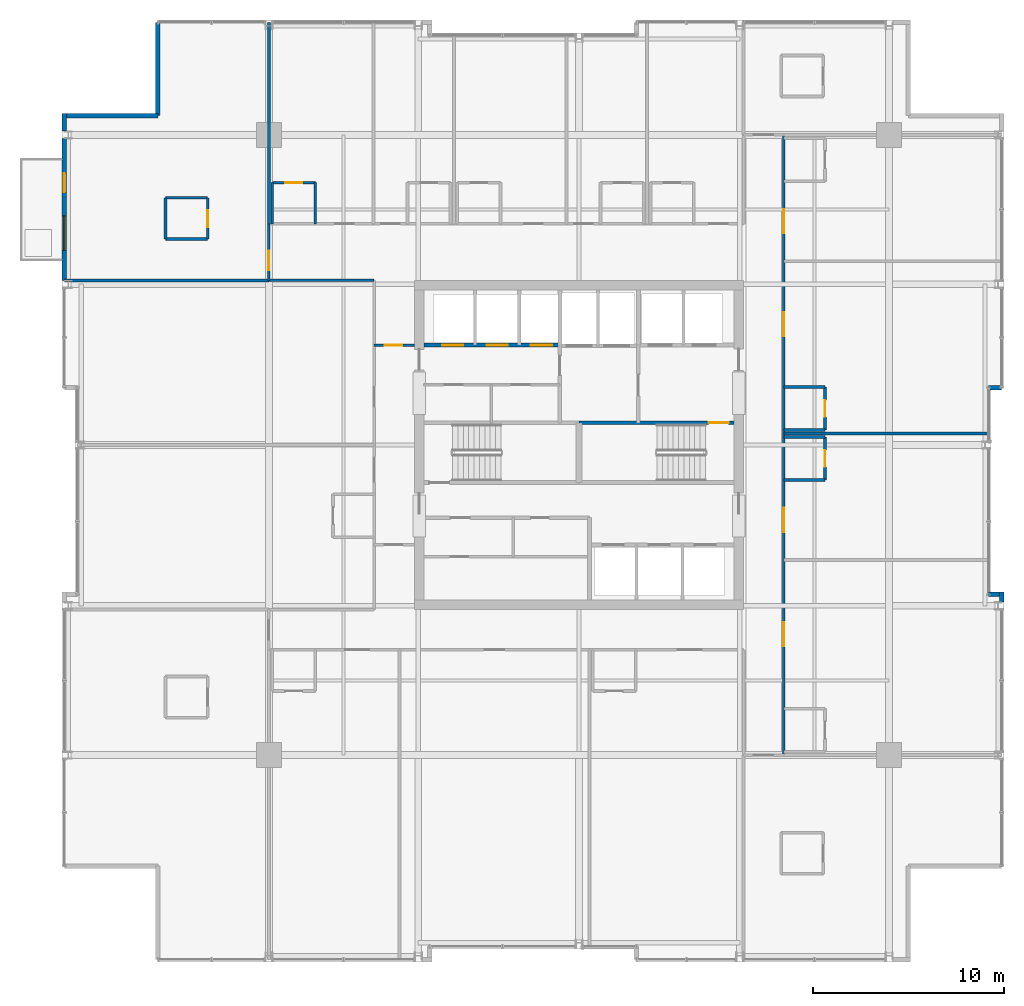
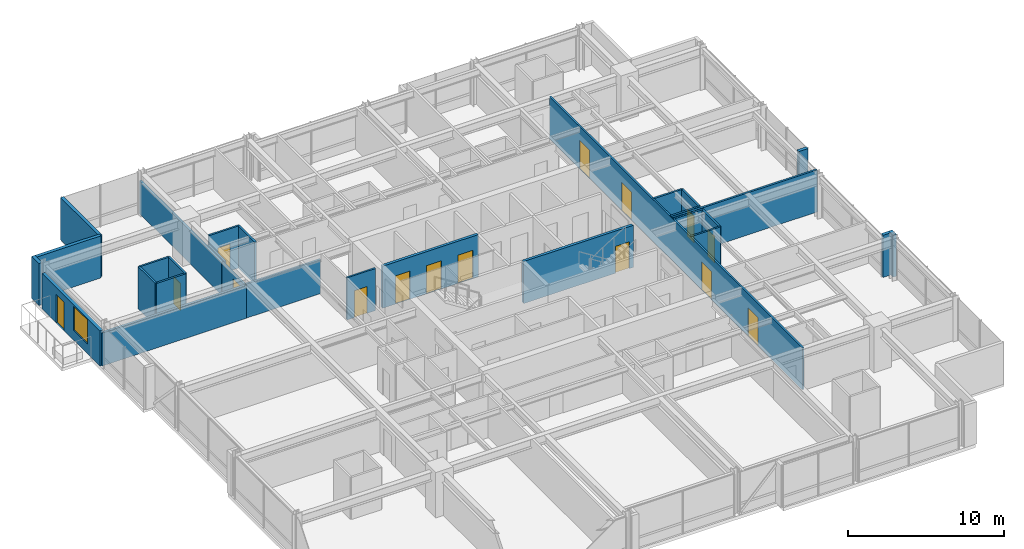
# One storey, part 27 of 32: 29 walls, 15 doors, 1 window, 16 openings.
"""IFC4 building model written with IfcOpenShell, lengths in metres."""

from ifc_helpers import new_model, si_unit, direction, frame, frame_2d, origin, place, context, subcontext, project, spatial, rectangle, extrude, material, layer, layer_set, type_object, element, fill, save


model = new_model("IFC4")

# Units and contexts
model_context = context("Model", 3, precision=1e-05, world=origin(), true_north=direction((0.0, 1.0)))
body_context = subcontext(model_context, "Body", "Model", "MODEL_VIEW")
ifc_project = project(units=[si_unit("LENGTHUNIT", "METRE"), si_unit("AREAUNIT", "SQUARE_METRE"), si_unit("VOLUMEUNIT", "CUBIC_METRE"), si_unit("PLANEANGLEUNIT", "RADIAN"), si_unit("MASSUNIT", "GRAM", prefix="KILO")], contexts=[model_context])

# Site, building, storey
site_placement = place(None, origin())
site = spatial("IfcSite", under=ifc_project, at=site_placement, CompositionType="ELEMENT")
building_placement = place(site_placement, origin())
building = spatial("IfcBuilding", under=site, at=building_placement, Name="Drelvath Grand Hotel", CompositionType="ELEMENT")
storey_placement = place(building_placement, frame((0.0, 0.0, 182.35009765625)))
storey = spatial("IfcBuildingStorey", under=building, at=storey_placement, Name="L47", CompositionType="ELEMENT", Elevation=182.35009765625)

# Wall, openings, doors
ifc_material_1 = material(Name="Concrete C40/50", Category="concrete")
ifc_layer_1 = layer(ifc_material_1, 0.199951171875)
ifc_layer_set_1 = layer_set([ifc_layer_1], Name="Concrete C40/50")
wall_type_1 = type_object("IfcWallType", Name="Core Hoistway Fire Wall 200", PredefinedType="SOLIDWALL", material=ifc_layer_set_1)
wall_1_placement = place(storey_placement, frame((-8.10009765625, 32.219970703125, 0.0), z_axis=(0.0, 0.0, 1.0), x_axis=(1.0, 0.0, 0.0)))
wall_1 = element("IfcWall", 1, at=wall_1_placement, inside=storey, type_object=wall_type_1, Name="L47 Bank 3 Hoistway Wall", PredefinedType="SOLIDWALL", context=body_context, shape_type="SweptSolid", body=[
    extrude(rectangle(XDim=7.10009765625, YDim=0.199951171875, at=frame_2d((3.550048828125, 0.0))), origin(), (0.0, 0.0, 1.0), 3.289794921875),
])
opening_1_placement = place(wall_1_placement, frame((0.949951171875, 0.0, 0.0)))
opening_1 = element("IfcOpeningElement", 2, at=opening_1_placement, cuts=wall_1, Name="Opening LD-PE-7", PredefinedType="OPENING", context=body_context, shape_type="SweptSolid", body=[
    extrude(rectangle(XDim=1.10009765625, YDim=2.199951171875, at=frame_2d((0.550048828125, 1.10009765625))), frame((0.0, 0.10986328125, 0.0), z_axis=(0.0, -1.0, 0.0), x_axis=(1.0, 0.0, 0.0)), (0.0, 0.0, 1.0), 0.219970703125),
])
opening_2_placement = place(wall_1_placement, frame((3.27001953125, 0.0, 0.0)))
opening_2 = element("IfcOpeningElement", 3, at=opening_2_placement, cuts=wall_1, Name="Opening LD-PE-8", PredefinedType="OPENING", context=body_context, shape_type="SweptSolid", body=[
    extrude(rectangle(XDim=1.10009765625, YDim=2.199951171875, at=frame_2d((0.550048828125, 1.10009765625))), frame((0.0, 0.10986328125, 0.0), z_axis=(0.0, -1.0, 0.0), x_axis=(1.0, 0.0, 0.0)), (0.0, 0.0, 1.0), 0.219970703125),
])
opening_3_placement = place(wall_1_placement, frame((5.590087890625, 0.0, 0.0)))
opening_3 = element("IfcOpeningElement", 4, at=opening_3_placement, cuts=wall_1, Name="Opening LD-PE-9", PredefinedType="OPENING", context=body_context, shape_type="SweptSolid", body=[
    extrude(rectangle(XDim=1.10009765625, YDim=2.199951171875, at=frame_2d((0.550048828125, 1.10009765625))), frame((0.0, 0.10986328125, 0.0), z_axis=(0.0, -1.0, 0.0), x_axis=(1.0, 0.0, 0.0)), (0.0, 0.0, 1.0), 0.219970703125),
])
ifc_material_2 = material(Name="Stainless Steel S355", Category="steel")
door_type_1 = type_object("IfcDoorType", Name="Passenger Lift Sliding Landing Door 1100x2200", OperationType="NOTDEFINED", PredefinedType="DOOR", material=ifc_material_2)
door_1_placement = place(opening_1_placement, origin())
door_1 = element("IfcDoor", 5, at=door_1_placement, inside=storey, type_object=door_type_1, Name="L47 Lift PE-7 Landing Door", OperationType="SLIDING_TO_LEFT", OverallHeight=2.199951171875, OverallWidth=1.10009765625, PredefinedType="DOOR", context=body_context, shape_type="SweptSolid", body=[
    extrude(rectangle(XDim=1.10009765625, YDim=2.199951171875, at=frame_2d((0.550048828125, 1.10009765625))), frame((0.0, 0.02490234375, 0.0), z_axis=(0.0, -1.0, 0.0), x_axis=(1.0, 0.0, 0.0)), (0.0, 0.0, 1.0), 0.050048828125),
])
fill(opening_1, door_1)
door_2_placement = place(opening_2_placement, origin())
door_2 = element("IfcDoor", 6, at=door_2_placement, inside=storey, type_object=door_type_1, Name="L47 Lift PE-8 Landing Door", OperationType="SLIDING_TO_LEFT", OverallHeight=2.199951171875, OverallWidth=1.10009765625, PredefinedType="DOOR", context=body_context, shape_type="SweptSolid", body=[
    extrude(rectangle(XDim=1.10009765625, YDim=2.199951171875, at=frame_2d((0.550048828125, 1.10009765625))), frame((0.0, 0.02490234375, 0.0), z_axis=(0.0, -1.0, 0.0), x_axis=(1.0, 0.0, 0.0)), (0.0, 0.0, 1.0), 0.050048828125),
])
fill(opening_2, door_2)
door_3_placement = place(opening_3_placement, origin())
door_3 = element("IfcDoor", 7, at=door_3_placement, inside=storey, type_object=door_type_1, Name="L47 Lift PE-9 Landing Door", OperationType="SLIDING_TO_LEFT", OverallHeight=2.199951171875, OverallWidth=1.10009765625, PredefinedType="DOOR", context=body_context, shape_type="SweptSolid", body=[
    extrude(rectangle(XDim=1.10009765625, YDim=2.199951171875, at=frame_2d((0.550048828125, 1.10009765625))), frame((0.0, 0.02490234375, 0.0), z_axis=(0.0, -1.0, 0.0), x_axis=(1.0, 0.0, 0.0)), (0.0, 0.0, 1.0), 0.050048828125),
])
fill(opening_3, door_3)

# Wall, opening, door
ifc_layer_2 = layer(ifc_material_1, 0.199951171875)
ifc_layer_set_2 = layer_set([ifc_layer_2], Name="Concrete C40/50")
wall_type_2 = type_object("IfcWallType", Name="Core Shaft Fire Wall 200", PredefinedType="SOLIDWALL", material=ifc_layer_set_2)
wall_2_placement = place(storey_placement, frame((8.10009765625, 28.159912109375, 0.0), z_axis=(0.0, 0.0, 1.0), x_axis=(-1.0, 0.0, 0.0)))
wall_2 = element("IfcWall", 8, at=wall_2_placement, inside=storey, type_object=wall_type_2, Name="L47 Stair ST-2 North Wall", PredefinedType="SOLIDWALL", context=body_context, shape_type="SweptSolid", body=[
    extrude(rectangle(XDim=8.10009765625, YDim=0.199951171875, at=frame_2d((4.050048828125, 0.0))), origin(), (0.0, 0.0, 1.0), 3.289794921875),
])
opening_4_placement = place(wall_2_placement, frame((0.280029296875, 0.0, 0.0)))
opening_4 = element("IfcOpeningElement", 9, at=opening_4_placement, cuts=wall_2, Name="Opening D-T3G4-002", PredefinedType="OPENING", context=body_context, shape_type="SweptSolid", body=[
    extrude(rectangle(XDim=1.050048828125, YDim=2.10009765625, at=frame_2d((0.52490234375, 1.050048828125))), frame((0.0, 0.10986328125, 0.0), z_axis=(0.0, -1.0, 0.0), x_axis=(1.0, 0.0, 0.0)), (0.0, 0.0, 1.0), 0.219970703125),
])
ifc_material_3 = material(Name="Painted Steel S275", Category="steel")
door_type_2 = type_object("IfcDoorType", Name="Tower Stairwell Fire Door 1050x2100", OperationType="NOTDEFINED", PredefinedType="DOOR", material=ifc_material_3)
door_4_placement = place(opening_4_placement, origin())
door_4 = element("IfcDoor", 10, at=door_4_placement, inside=storey, type_object=door_type_2, Name="L47 Exit Stair ST-2 Door", OperationType="SINGLE_SWING_LEFT", OverallHeight=2.10009765625, OverallWidth=1.050048828125, PredefinedType="DOOR", context=body_context, shape_type="SweptSolid", body=[
    extrude(rectangle(XDim=1.050048828125, YDim=2.10009765625, at=frame_2d((0.52490234375, 1.050048828125))), frame((0.0, 0.02490234375, 0.0), z_axis=(0.0, -1.0, 0.0), x_axis=(1.0, 0.0, 0.0)), (0.0, 0.0, 1.0), 0.050048828125),
])
fill(opening_4, door_4)

ifc_material_4 = material(Name="Gypsum Fireboard Partition")
ifc_layer_3 = layer(ifc_material_4, 0.135009765625)
ifc_layer_set_3 = layer_set([ifc_layer_3], Name="Gypsum Fireboard Partition")
wall_type_3 = type_object("IfcWallType", Name="Corridor Fire Barrier Wall 135", PredefinedType="PARTITIONING", material=ifc_layer_set_3)
wall_3_placement = place(storey_placement, frame((-10.699951171875, 32.199951171875, 0.0), z_axis=(0.0, 0.0, 1.0), x_axis=(1.0, 0.0, 0.0)))
wall_3 = element("IfcWall", 11, at=wall_3_placement, inside=storey, type_object=wall_type_3, Name="L47 West Foyer North Wall", PredefinedType="PARTITIONING", context=body_context, shape_type="SweptSolid", body=[
    extrude(rectangle(XDim=2.099853515625, YDim=0.135009765625, at=frame_2d((1.0498046875, 0.0))), origin(), (0.0, 0.0, 1.0), 3.289794921875),
])
opening_5_placement = place(wall_3_placement, frame((0.550048828125, 0.0, 0.0)))
opening_5 = element("IfcOpeningElement", 12, at=opening_5_placement, cuts=wall_3, Name="Opening D-T3G4-025", PredefinedType="OPENING", context=body_context, shape_type="SweptSolid", body=[
    extrude(rectangle(XDim=0.919921875, YDim=2.10009765625, at=frame_2d((0.4599609375, 1.050048828125))), frame((0.0, 0.077392578125, 0.0), z_axis=(0.0, -1.0, 0.0), x_axis=(1.0, 0.0, 0.0)), (0.0, 0.0, 1.0), 0.155029296875),
])
door_type_3 = type_object("IfcDoorType", Name="Staff Utility Door 920x2100", OperationType="NOTDEFINED", PredefinedType="DOOR", material=ifc_material_3)
door_5_placement = place(opening_5_placement, origin())
door_5 = element("IfcDoor", 13, at=door_5_placement, inside=storey, type_object=door_type_3, Name="L47 West Pantry Door", OperationType="SINGLE_SWING_LEFT", OverallHeight=2.10009765625, OverallWidth=0.919921875, PredefinedType="DOOR", context=body_context, shape_type="SweptSolid", body=[
    extrude(rectangle(XDim=0.919921875, YDim=2.10009765625, at=frame_2d((0.4599609375, 1.050048828125))), frame((0.0, 0.02490234375, 0.0), z_axis=(0.0, -1.0, 0.0), x_axis=(1.0, 0.0, 0.0)), (0.0, 0.0, 1.0), 0.050048828125),
])
fill(opening_5, door_5)

# Wall
wall_4_placement = place(storey_placement, frame((-16.199951171875, 35.60009765625, 0.0), z_axis=(0.0, 0.0, 1.0), x_axis=(1.0, 0.0, 0.0)))
element("IfcWall", 14, at=wall_4_placement, inside=storey, type_object=wall_type_3, Name="L47 NW Stub South Wall", PredefinedType="PARTITIONING", context=body_context, shape_type="SweptSolid", body=[
    extrude(rectangle(XDim=5.5, YDim=0.135009765625, at=frame_2d((2.75, 0.0))), origin(), (0.0, 0.0, 1.0), 2.667236328125),
])

# Wall, openings, doors
wall_5_placement = place(storey_placement, frame((10.699951171875, 10.800048828125, 0.0), z_axis=(0.0, 0.0, 1.0), x_axis=(0.0, 1.0, 0.0)))
wall_5 = element("IfcWall", 15, at=wall_5_placement, inside=storey, type_object=wall_type_3, Name="L47 East Spine Corridor Wall", PredefinedType="PARTITIONING", context=body_context, shape_type="SweptSolid", body=[
    extrude(rectangle(XDim=32.39990234375, YDim=0.135009765625, at=frame_2d((16.199951171875, 0.0))), origin(), (0.0, 0.0, 1.0), 3.289794921875),
])
opening_6_placement = place(wall_5_placement, frame((5.68505859375, 0.0, 0.0)))
opening_6 = element("IfcOpeningElement", 16, at=opening_6_placement, cuts=wall_5, Name="Opening D-T3G4-050", PredefinedType="OPENING", context=body_context, shape_type="SweptSolid", body=[
    extrude(rectangle(XDim=1.260009765625, YDim=2.199951171875, at=frame_2d((0.6298828125, 1.10009765625))), frame((0.0, 0.077392578125, 0.0), z_axis=(0.0, -1.0, 0.0), x_axis=(1.0, 0.0, 0.0)), (0.0, 0.0, 1.0), 0.155029296875),
])
opening_7_placement = place(wall_5_placement, frame((11.655029296875, 0.0, 0.0)))
opening_7 = element("IfcOpeningElement", 17, at=opening_7_placement, cuts=wall_5, Name="Opening D-T3G4-052", PredefinedType="OPENING", context=body_context, shape_type="SweptSolid", body=[
    extrude(rectangle(XDim=1.260009765625, YDim=2.199951171875, at=frame_2d((0.6298828125, 1.10009765625))), frame((0.0, 0.077392578125, 0.0), z_axis=(0.0, -1.0, 0.0), x_axis=(1.0, 0.0, 0.0)), (0.0, 0.0, 1.0), 0.155029296875),
])
opening_8_placement = place(wall_5_placement, frame((21.885009765625, 0.0, 0.0)))
opening_8 = element("IfcOpeningElement", 18, at=opening_8_placement, cuts=wall_5, Name="Opening D-T3G4-054", PredefinedType="OPENING", context=body_context, shape_type="SweptSolid", body=[
    extrude(rectangle(XDim=1.260009765625, YDim=2.199951171875, at=frame_2d((0.6298828125, 1.10009765625))), frame((0.0, 0.077392578125, 0.0), z_axis=(0.0, -1.0, 0.0), x_axis=(1.0, 0.0, 0.0)), (0.0, 0.0, 1.0), 0.155029296875),
])
opening_9_placement = place(wall_5_placement, frame((27.2548828125, 0.0, 0.0)))
opening_9 = element("IfcOpeningElement", 19, at=opening_9_placement, cuts=wall_5, Name="Opening D-T3G4-056", PredefinedType="OPENING", context=body_context, shape_type="SweptSolid", body=[
    extrude(rectangle(XDim=1.260009765625, YDim=2.199951171875, at=frame_2d((0.6298828125, 1.10009765625))), frame((0.0, 0.077392578125, 0.0), z_axis=(0.0, -1.0, 0.0), x_axis=(1.0, 0.0, 0.0)), (0.0, 0.0, 1.0), 0.155029296875),
])
ifc_material_5 = material(Name="Hardwood Walnut Timber", Category="wood")
door_type_4 = type_object("IfcDoorType", Name="Suite Entrance Fire Door 1260x2200", OperationType="NOTDEFINED", PredefinedType="DOOR", material=ifc_material_5)
door_6_placement = place(opening_6_placement, origin())
door_6 = element("IfcDoor", 20, at=door_6_placement, inside=storey, type_object=door_type_4, Name="L47 Executive Suite Entry Door", OperationType="SINGLE_SWING_RIGHT", OverallHeight=2.199951171875, OverallWidth=1.260009765625, PredefinedType="DOOR", context=body_context, shape_type="SweptSolid", body=[
    extrude(rectangle(XDim=1.260009765625, YDim=2.199951171875, at=frame_2d((0.6298828125, 1.10009765625))), frame((0.0, 0.02490234375, 0.0), z_axis=(0.0, -1.0, 0.0), x_axis=(1.0, 0.0, 0.0)), (0.0, 0.0, 1.0), 0.050048828125),
])
fill(opening_6, door_6)
door_7_placement = place(opening_7_placement, origin())
door_7 = element("IfcDoor", 21, at=door_7_placement, inside=storey, type_object=door_type_4, Name="L47 Executive Suite Entry Door", OperationType="SINGLE_SWING_RIGHT", OverallHeight=2.199951171875, OverallWidth=1.260009765625, PredefinedType="DOOR", context=body_context, shape_type="SweptSolid", body=[
    extrude(rectangle(XDim=1.260009765625, YDim=2.199951171875, at=frame_2d((0.6298828125, 1.10009765625))), frame((0.0, 0.02490234375, 0.0), z_axis=(0.0, -1.0, 0.0), x_axis=(1.0, 0.0, 0.0)), (0.0, 0.0, 1.0), 0.050048828125),
])
fill(opening_7, door_7)
door_8_placement = place(opening_8_placement, origin())
door_8 = element("IfcDoor", 22, at=door_8_placement, inside=storey, type_object=door_type_4, Name="L47 Executive Suite Entry Door", OperationType="SINGLE_SWING_RIGHT", OverallHeight=2.199951171875, OverallWidth=1.260009765625, PredefinedType="DOOR", context=body_context, shape_type="SweptSolid", body=[
    extrude(rectangle(XDim=1.260009765625, YDim=2.199951171875, at=frame_2d((0.6298828125, 1.10009765625))), frame((0.0, 0.02490234375, 0.0), z_axis=(0.0, -1.0, 0.0), x_axis=(1.0, 0.0, 0.0)), (0.0, 0.0, 1.0), 0.050048828125),
])
fill(opening_8, door_8)
door_9_placement = place(opening_9_placement, origin())
door_9 = element("IfcDoor", 23, at=door_9_placement, inside=storey, type_object=door_type_4, Name="L47 Executive Suite Entry Door", OperationType="SINGLE_SWING_RIGHT", OverallHeight=2.199951171875, OverallWidth=1.260009765625, PredefinedType="DOOR", context=body_context, shape_type="SweptSolid", body=[
    extrude(rectangle(XDim=1.260009765625, YDim=2.199951171875, at=frame_2d((0.6298828125, 1.10009765625))), frame((0.0, 0.02490234375, 0.0), z_axis=(0.0, -1.0, 0.0), x_axis=(1.0, 0.0, 0.0)), (0.0, 0.0, 1.0), 0.050048828125),
])
fill(opening_9, door_9)

# Wall, opening, door
wall_6_placement = place(storey_placement, frame((-16.199951171875, 35.60009765625, 0.0), z_axis=(0.0, 0.0, 1.0), x_axis=(0.0, 1.0, 0.0)))
wall_6 = element("IfcWall", 24, at=wall_6_placement, inside=storey, type_object=wall_type_3, Name="L47 North Stub West End", PredefinedType="PARTITIONING", context=body_context, shape_type="SweptSolid", body=[
    extrude(rectangle(XDim=2.949951171875, YDim=0.135009765625, at=frame_2d((1.47509765625, 0.0))), origin(), (0.0, 0.0, 1.0), 2.579345703125),
])
opening_10_placement = place(wall_6_placement, frame((0.52001953125, 0.0, 0.0)))
opening_10 = element("IfcOpeningElement", 25, at=opening_10_placement, cuts=wall_6, Name="Opening D-T3G4-029", PredefinedType="OPENING", context=body_context, shape_type="SweptSolid", body=[
    extrude(rectangle(XDim=1.02001953125, YDim=2.14990234375, at=frame_2d((0.510009765625, 1.074951171875))), frame((0.0, 0.077392578125, 0.0), z_axis=(0.0, -1.0, 0.0), x_axis=(1.0, 0.0, 0.0)), (0.0, 0.0, 1.0), 0.155029296875),
])
door_type_5 = type_object("IfcDoorType", Name="Amenity Meeting Fire Door 1020x2150", OperationType="NOTDEFINED", PredefinedType="DOOR", material=ifc_material_5)
door_10_placement = place(opening_10_placement, origin())
door_10 = element("IfcDoor", 26, at=door_10_placement, inside=storey, type_object=door_type_5, Name="L47 Executive Suite Entry Door", OperationType="SINGLE_SWING_LEFT", OverallHeight=2.14990234375, OverallWidth=1.02001953125, PredefinedType="DOOR", context=body_context, shape_type="SweptSolid", body=[
    extrude(rectangle(XDim=1.02001953125, YDim=2.14990234375, at=frame_2d((0.510009765625, 1.074951171875))), frame((0.0, 0.02490234375, 0.0), z_axis=(0.0, -1.0, 0.0), x_axis=(1.0, 0.0, 0.0)), (0.0, 0.0, 1.0), 0.050048828125),
])
fill(opening_10, door_10)

# Walls
ifc_material_6 = material(Name="Moisture-Resistant Gypsum Board")
ifc_layer_4 = layer(ifc_material_6, 0.139892578125)
ifc_layer_set_4 = layer_set([ifc_layer_4], Name="Moisture-Resistant Gypsum Board")
wall_type_4 = type_object("IfcWallType", Name="En-Suite Plumbing Wall 140", PredefinedType="PLUMBINGWALL", material=ifc_layer_set_4)
for number, where, z_axis, x_axis, name in (
    (27, (-21.60009765625, 37.760009765625, 0.0), (0.0, 0.0, 1.0), (1.0, 0.0, 0.0), "L47 Corner En-Suite South"),
    (28, (-21.60009765625, 39.909912109375, 0.0), (0.0, 0.0, 1.0), (1.0, 0.0, 0.0), "L47 Corner En-Suite North"),
):
    element("IfcWall", number, at=place(storey_placement, frame(where, z_axis=z_axis, x_axis=x_axis)), inside=storey, type_object=wall_type_4, Name=name, PredefinedType="PLUMBINGWALL", context=body_context, shape_type="SweptSolid", body=[
        extrude(rectangle(XDim=2.2001953125, YDim=0.139892578125, at=frame_2d((1.10009765625, 0.0))), origin(), (0.0, 0.0, 1.0), 3.289794921875),
    ])
wall_7_placement = place(storey_placement, frame((-21.60009765625, 37.760009765625, 0.0), z_axis=(0.0, 0.0, 1.0), x_axis=(0.0, 1.0, 0.0)))
element("IfcWall", 29, at=wall_7_placement, inside=storey, type_object=wall_type_4, Name="L47 Corner En-Suite West", PredefinedType="PLUMBINGWALL", context=body_context, shape_type="SweptSolid", body=[
    extrude(rectangle(XDim=2.14990234375, YDim=0.139892578125, at=frame_2d((1.074951171875, 0.0))), origin(), (0.0, 0.0, 1.0), 3.289794921875),
])

# Wall, opening, door
wall_8_placement = place(storey_placement, frame((-19.39990234375, 37.760009765625, 0.0), z_axis=(0.0, 0.0, 1.0), x_axis=(0.0, 1.0, 0.0)))
wall_8 = element("IfcWall", 30, at=wall_8_placement, inside=storey, type_object=wall_type_4, Name="L47 Corner En-Suite East", PredefinedType="PLUMBINGWALL", context=body_context, shape_type="SweptSolid", body=[
    extrude(rectangle(XDim=2.14990234375, YDim=0.139892578125, at=frame_2d((1.074951171875, 0.0))), origin(), (0.0, 0.0, 1.0), 3.289794921875),
])
opening_11_placement = place(wall_8_placement, frame((0.6201171875, 0.0, 0.0)))
opening_11 = element("IfcOpeningElement", 31, at=opening_11_placement, cuts=wall_8, Name="Opening D-T3G4-028", PredefinedType="OPENING", context=body_context, shape_type="SweptSolid", body=[
    extrude(rectangle(XDim=0.8798828125, YDim=2.10009765625, at=frame_2d((0.43994140625, 1.050048828125))), frame((0.0, 0.079833984375, 0.0), z_axis=(0.0, -1.0, 0.0), x_axis=(1.0, 0.0, 0.0)), (0.0, 0.0, 1.0), 0.159912109375),
])
door_type_6 = type_object("IfcDoorType", Name="En-Suite Bathroom Door 880x2100", OperationType="NOTDEFINED", PredefinedType="DOOR", material=ifc_material_5)
door_11_placement = place(opening_11_placement, origin())
door_11 = element("IfcDoor", 32, at=door_11_placement, inside=storey, type_object=door_type_6, Name="L47 Corner En-Suite Door", OperationType="SINGLE_SWING_RIGHT", OverallHeight=2.10009765625, OverallWidth=0.8798828125, PredefinedType="DOOR", context=body_context, shape_type="SweptSolid", body=[
    extrude(rectangle(XDim=0.8798828125, YDim=2.10009765625, at=frame_2d((0.43994140625, 1.050048828125))), frame((0.0, 0.02490234375, 0.0), z_axis=(0.0, -1.0, 0.0), x_axis=(1.0, 0.0, 0.0)), (0.0, 0.0, 1.0), 0.050048828125),
])
fill(opening_11, door_11)

# Walls
wall_9_placement = place(storey_placement, frame((-16.02001953125, 38.550048828125, 0.0), z_axis=(0.0, 0.0, 1.0), x_axis=(0.0, 1.0, 0.0)))
element("IfcWall", 33, at=wall_9_placement, inside=storey, type_object=wall_type_4, Name="L47 En-Suite Left Wall", PredefinedType="PLUMBINGWALL", context=body_context, shape_type="SweptSolid", body=[
    extrude(rectangle(XDim=2.14990234375, YDim=0.139892578125, at=frame_2d((1.074951171875, 0.0))), origin(), (0.0, 0.0, 1.0), 2.579345703125),
])
wall_10_placement = place(storey_placement, frame((-13.77001953125, 38.550048828125, 0.0), z_axis=(0.0, 0.0, 1.0), x_axis=(0.0, 1.0, 0.0)))
element("IfcWall", 34, at=wall_10_placement, inside=storey, type_object=wall_type_4, Name="L47 En-Suite Right Wall", PredefinedType="PLUMBINGWALL", context=body_context, shape_type="SweptSolid", body=[
    extrude(rectangle(XDim=2.14990234375, YDim=0.139892578125, at=frame_2d((1.074951171875, 0.0))), origin(), (0.0, 0.0, 1.0), 3.289794921875),
])

# Wall, opening, door
wall_11_placement = place(storey_placement, frame((-16.02001953125, 40.699951171875, 0.0), z_axis=(0.0, 0.0, 1.0), x_axis=(1.0, 0.0, 0.0)))
wall_11 = element("IfcWall", 35, at=wall_11_placement, inside=storey, type_object=wall_type_4, Name="L47 En-Suite Front Wall", PredefinedType="PLUMBINGWALL", context=body_context, shape_type="SweptSolid", body=[
    extrude(rectangle(XDim=2.25, YDim=0.139892578125, at=frame_2d((1.125, 0.0))), origin(), (0.0, 0.0, 1.0), 3.289794921875),
])
opening_12_placement = place(wall_11_placement, frame((0.68505859375, 0.0, 0.0)))
opening_12 = element("IfcOpeningElement", 36, at=opening_12_placement, cuts=wall_11, Name="Opening D-T3G4-039", PredefinedType="OPENING", context=body_context, shape_type="SweptSolid", body=[
    extrude(rectangle(XDim=0.8798828125, YDim=2.10009765625, at=frame_2d((0.43994140625, 1.050048828125))), frame((0.0, 0.079833984375, 0.0), z_axis=(0.0, -1.0, 0.0), x_axis=(1.0, 0.0, 0.0)), (0.0, 0.0, 1.0), 0.159912109375),
])
door_12_placement = place(opening_12_placement, origin())
door_12 = element("IfcDoor", 37, at=door_12_placement, inside=storey, type_object=door_type_6, Name="L47 En-Suite Bathroom Door", OperationType="SINGLE_SWING_LEFT", OverallHeight=2.10009765625, OverallWidth=0.8798828125, PredefinedType="DOOR", context=body_context, shape_type="SweptSolid", body=[
    extrude(rectangle(XDim=0.8798828125, YDim=2.10009765625, at=frame_2d((0.43994140625, 1.050048828125))), frame((0.0, 0.02490234375, 0.0), z_axis=(0.0, -1.0, 0.0), x_axis=(1.0, 0.0, 0.0)), (0.0, 0.0, 1.0), 0.050048828125),
])
fill(opening_12, door_12)

# Walls
for number, where, z_axis, x_axis, name in (
    (38, (10.699951171875, 25.169921875, 0.0), (0.0, 0.0, 1.0), (1.0, 0.0, 0.0), "L47 En-Suite Left Wall"),
    (39, (10.699951171875, 27.419921875, 0.0), (0.0, 0.0, 1.0), (1.0, 0.0, 0.0), "L47 En-Suite Right Wall"),
):
    element("IfcWall", number, at=place(storey_placement, frame(where, z_axis=z_axis, x_axis=x_axis)), inside=storey, type_object=wall_type_4, Name=name, PredefinedType="PLUMBINGWALL", context=body_context, shape_type="SweptSolid", body=[
        extrude(rectangle(XDim=2.150146484375, YDim=0.139892578125, at=frame_2d((1.0751953125, 0.0))), origin(), (0.0, 0.0, 1.0), 3.289794921875),
    ])

# Wall, opening, door
wall_12_placement = place(storey_placement, frame((12.85009765625, 25.169921875, 0.0), z_axis=(0.0, 0.0, 1.0), x_axis=(0.0, 1.0, 0.0)))
wall_12 = element("IfcWall", 40, at=wall_12_placement, inside=storey, type_object=wall_type_4, Name="L47 En-Suite Front Wall", PredefinedType="PLUMBINGWALL", context=body_context, shape_type="SweptSolid", body=[
    extrude(rectangle(XDim=2.25, YDim=0.139892578125, at=frame_2d((1.125, 0.0))), origin(), (0.0, 0.0, 1.0), 3.289794921875),
])
opening_13_placement = place(wall_12_placement, frame((0.68505859375, 0.0, 0.0)))
opening_13 = element("IfcOpeningElement", 41, at=opening_13_placement, cuts=wall_12, Name="Opening D-T3G4-051", PredefinedType="OPENING", context=body_context, shape_type="SweptSolid", body=[
    extrude(rectangle(XDim=0.8798828125, YDim=2.10009765625, at=frame_2d((0.43994140625, 1.050048828125))), frame((0.0, 0.079833984375, 0.0), z_axis=(0.0, -1.0, 0.0), x_axis=(1.0, 0.0, 0.0)), (0.0, 0.0, 1.0), 0.159912109375),
])
door_13_placement = place(opening_13_placement, origin())
door_13 = element("IfcDoor", 42, at=door_13_placement, inside=storey, type_object=door_type_6, Name="L47 En-Suite Bathroom Door", OperationType="SINGLE_SWING_LEFT", OverallHeight=2.10009765625, OverallWidth=0.8798828125, PredefinedType="DOOR", context=body_context, shape_type="SweptSolid", body=[
    extrude(rectangle(XDim=0.8798828125, YDim=2.10009765625, at=frame_2d((0.43994140625, 1.050048828125))), frame((0.0, 0.02490234375, 0.0), z_axis=(0.0, -1.0, 0.0), x_axis=(1.0, 0.0, 0.0)), (0.0, 0.0, 1.0), 0.050048828125),
])
fill(opening_13, door_13)

# Walls
for number, where, z_axis, x_axis, name in (
    (43, (10.699951171875, 27.780029296875, 0.0), (0.0, 0.0, 1.0), (1.0, 0.0, 0.0), "L47 En-Suite Left Wall"),
    (44, (10.699951171875, 30.030029296875, 0.0), (0.0, 0.0, 1.0), (1.0, 0.0, 0.0), "L47 En-Suite Right Wall"),
):
    element("IfcWall", number, at=place(storey_placement, frame(where, z_axis=z_axis, x_axis=x_axis)), inside=storey, type_object=wall_type_4, Name=name, PredefinedType="PLUMBINGWALL", context=body_context, shape_type="SweptSolid", body=[
        extrude(rectangle(XDim=2.150146484375, YDim=0.139892578125, at=frame_2d((1.0751953125, 0.0))), origin(), (0.0, 0.0, 1.0), 3.289794921875),
    ])

# Wall, opening, door
wall_13_placement = place(storey_placement, frame((12.85009765625, 27.780029296875, 0.0), z_axis=(0.0, 0.0, 1.0), x_axis=(0.0, 1.0, 0.0)))
wall_13 = element("IfcWall", 45, at=wall_13_placement, inside=storey, type_object=wall_type_4, Name="L47 En-Suite Front Wall", PredefinedType="PLUMBINGWALL", context=body_context, shape_type="SweptSolid", body=[
    extrude(rectangle(XDim=2.25, YDim=0.139892578125, at=frame_2d((1.125, 0.0))), origin(), (0.0, 0.0, 1.0), 3.289794921875),
])
opening_14_placement = place(wall_13_placement, frame((0.68505859375, 0.0, 0.0)))
opening_14 = element("IfcOpeningElement", 46, at=opening_14_placement, cuts=wall_13, Name="Opening D-T3G4-053", PredefinedType="OPENING", context=body_context, shape_type="SweptSolid", body=[
    extrude(rectangle(XDim=0.8798828125, YDim=2.10009765625, at=frame_2d((0.43994140625, 1.050048828125))), frame((0.0, 0.079833984375, 0.0), z_axis=(0.0, -1.0, 0.0), x_axis=(1.0, 0.0, 0.0)), (0.0, 0.0, 1.0), 0.159912109375),
])
door_14_placement = place(opening_14_placement, origin())
door_14 = element("IfcDoor", 47, at=door_14_placement, inside=storey, type_object=door_type_6, Name="L47 En-Suite Bathroom Door", OperationType="SINGLE_SWING_LEFT", OverallHeight=2.10009765625, OverallWidth=0.8798828125, PredefinedType="DOOR", context=body_context, shape_type="SweptSolid", body=[
    extrude(rectangle(XDim=0.8798828125, YDim=2.10009765625, at=frame_2d((0.43994140625, 1.050048828125))), frame((0.0, 0.02490234375, 0.0), z_axis=(0.0, -1.0, 0.0), x_axis=(1.0, 0.0, 0.0)), (0.0, 0.0, 1.0), 0.050048828125),
])
fill(opening_14, door_14)

# Walls
ifc_material_7 = material(Name="Gypsum Acoustic Partition")
ifc_layer_5 = layer(ifc_material_7, 0.14990234375)
ifc_layer_set_5 = layer_set([ifc_layer_5], Name="Gypsum Acoustic Partition")
wall_type_5 = type_object("IfcWallType", Name="Guestroom Demising Wall 150", PredefinedType="PARTITIONING", material=ifc_layer_set_5)
wall_14_placement = place(storey_placement, frame((10.699951171875, 27.60009765625, 0.0), z_axis=(0.0, 0.0, 1.0), x_axis=(1.0, 0.0, 0.0)))
element("IfcWall", 48, at=wall_14_placement, inside=storey, type_object=wall_type_5, Name="L47 East Demising 2", PredefinedType="PARTITIONING", context=body_context, shape_type="SweptSolid", body=[
    extrude(rectangle(XDim=10.699951171875, YDim=0.14990234375, at=frame_2d((5.35009765625, 0.0))), origin(), (0.0, 0.0, 1.0), 3.289794921875),
])
ifc_layer_6 = layer(ifc_material_7, 0.1650390625)
ifc_layer_set_6 = layer_set([ifc_layer_6], Name="Gypsum Acoustic Partition")
wall_type_6 = type_object("IfcWallType", Name="Suite Demising Wall 165", PredefinedType="PARTITIONING", material=ifc_layer_set_6)
wall_15_placement = place(storey_placement, frame((-16.199951171875, 38.550048828125, 0.0), z_axis=(0.0, 0.0, 1.0), x_axis=(0.0, 1.0, 0.0)))
element("IfcWall", 49, at=wall_15_placement, inside=storey, type_object=wall_type_6, Name="L47 NW Suite East Wall", PredefinedType="PARTITIONING", context=body_context, shape_type="SweptSolid", body=[
    extrude(rectangle(XDim=10.530029296875, YDim=0.1650390625, at=frame_2d((5.26513671875, 0.0))), origin(), (0.0, 0.0, 1.0), 2.579345703125),
])
wall_16_placement = place(storey_placement, frame((-26.8798828125, 35.60009765625, 0.0), z_axis=(0.0, 0.0, 1.0), x_axis=(1.0, 0.0, 0.0)))
element("IfcWall", 50, at=wall_16_placement, inside=storey, type_object=wall_type_6, Name="L47 NW Suite South Wall", PredefinedType="PARTITIONING", context=body_context, shape_type="SweptSolid", body=[
    extrude(rectangle(XDim=10.679931640625, YDim=0.1650390625, at=frame_2d((5.33984375, 0.0))), origin(), (0.0, 0.0, 1.0), 2.579345703125),
])

# Wall, openings, window, door
ifc_material_8 = material(Name="Pale-Metal Insulated Aluminium Spandrel Assembly", Category="aluminium")
ifc_layer_7 = layer(ifc_material_8, 0.239990234375)
ifc_layer_set_7 = layer_set([ifc_layer_7], Name="Pale-Metal Insulated Aluminium Spandrel Assembly")
wall_type_7 = type_object("IfcWallType", Name="Tower Insulated Metal Spandrel Closure Wall 240", PredefinedType="STANDARD", material=ifc_layer_set_7)
wall_17_placement = place(storey_placement, frame((-26.8798828125, 35.591552734375, 0.0), z_axis=(0.0, 0.0, 1.0), x_axis=(0.0, 1.0, 0.0)))
wall_17 = element("IfcWall", 51, at=wall_17_placement, inside=storey, type_object=wall_type_7, Name="L47 Exterior Terrace Door Bay Wall WN2", PredefinedType="STANDARD", context=body_context, shape_type="SweptSolid", body=[
    extrude(rectangle(XDim=7.416748046875, YDim=0.239990234375, at=frame_2d((3.70849609375, 0.0))), origin(), (0.0, 0.0, 1.0), 2.753173828125),
])
opening_15_placement = place(wall_17_placement, frame((4.6083984375, 0.0, 0.0)))
opening_15 = element("IfcOpeningElement", 52, at=opening_15_placement, cuts=wall_17, Name="Opening TD-1000", PredefinedType="OPENING", context=body_context, shape_type="SweptSolid", body=[
    extrude(rectangle(XDim=1.0, YDim=2.199951171875, at=frame_2d((0.5, 1.10009765625))), frame((0.0, 0.1298828125, 0.0), z_axis=(0.0, -1.0, 0.0), x_axis=(1.0, 0.0, 0.0)), (0.0, 0.0, 1.0), 0.260009765625),
])
opening_16_placement = place(wall_17_placement, frame((1.57958984375, 0.0, 0.75)))
opening_16 = element("IfcOpeningElement", 53, at=opening_16_placement, cuts=wall_17, Name="Opening W-02", PredefinedType="OPENING", context=body_context, shape_type="SweptSolid", body=[
    extrude(rectangle(XDim=1.800048828125, YDim=1.9033203125, at=frame_2d((0.89990234375, 0.95166015625))), frame((0.0, 0.1298828125, 0.0), z_axis=(0.0, -1.0, 0.0), x_axis=(1.0, 0.0, 0.0)), (0.0, 0.0, 1.0), 0.260009765625),
])
ifc_material_9 = material(Name="Bronze Anodised Low-E Triple Glazing", Category="glass")
window_type = type_object("IfcWindowType", Name="Chicago Double-Pane Podium Window 1800x2400", PartitioningType="DOUBLE_PANEL_VERTICAL", PredefinedType="WINDOW", material=ifc_material_9)
window_placement = place(opening_16_placement, origin())
window = element("IfcWindow", 54, at=window_placement, inside=storey, type_object=window_type, Name="L47 Terrace Bay Companion Window WN2", OverallHeight=1.9033203125, OverallWidth=1.800048828125, PartitioningType="SINGLE_PANEL", PredefinedType="WINDOW", context=body_context, shape_type="SweptSolid", body=[
    extrude(rectangle(XDim=1.800048828125, YDim=1.9033203125, at=frame_2d((0.89990234375, 0.95166015625))), frame((0.0, 0.030029296875, 0.0), z_axis=(0.0, -1.0, 0.0), x_axis=(1.0, 0.0, 0.0)), (0.0, 0.0, 1.0), 0.06005859375),
])
fill(opening_16, window)
ifc_material_10 = material(Name="Anodised Aluminium Thermally Broken Glazed Door", Category="aluminium")
door_type_7 = type_object("IfcDoorType", Name="Terrace and Tree Balcony Glazed Door 1000x2200", OperationType="NOTDEFINED", PredefinedType="DOOR", material=ifc_material_10)
door_15_placement = place(opening_15_placement, origin())
door_15 = element("IfcDoor", 55, at=door_15_placement, inside=storey, type_object=door_type_7, Name="L47 Tree Balcony Door DOOR-L47-TBAL-1", OperationType="SINGLE_SWING_RIGHT", OverallHeight=2.199951171875, OverallWidth=1.0, PredefinedType="DOOR", context=body_context, shape_type="SweptSolid", body=[
    extrude(rectangle(XDim=1.0, YDim=2.199951171875, at=frame_2d((0.5, 1.10009765625))), frame((0.0, 0.02490234375, 0.0), z_axis=(0.0, -1.0, 0.0), x_axis=(1.0, 0.0, 0.0)), (0.0, 0.0, 1.0), 0.050048828125),
])
fill(opening_15, door_15)

# Walls
wall_18_placement = place(storey_placement, frame((-26.8798828125, 43.3916015625, 0.0), z_axis=(0.0, 0.0, 1.0), x_axis=(0.0, 1.0, 0.0)))
element("IfcWall", 56, at=wall_18_placement, inside=storey, type_object=wall_type_7, Name="L47 Corner Pier Spandrel Wall WN3", PredefinedType="STANDARD", context=body_context, shape_type="SweptSolid", body=[
    extrude(rectangle(XDim=0.928466796875, YDim=0.239990234375, at=frame_2d((0.46435546875, 0.0))), origin(), (0.0, 0.0, 1.0), 3.289794921875),
])
wall_19_placement = place(storey_placement, frame((22.080078125, 19.320068359375, 0.0), z_axis=(0.0, 0.0, 1.0), x_axis=(0.0, -1.0, 0.0)))
element("IfcWall", 57, at=wall_19_placement, inside=storey, type_object=wall_type_7, Name="L47 Corner Pier Spandrel Wall ES3", PredefinedType="STANDARD", context=body_context, shape_type="SweptSolid", body=[
    extrude(rectangle(XDim=0.5283203125, YDim=0.239990234375, at=frame_2d((0.26416015625, 0.0))), origin(), (0.0, 0.0, 1.0), 3.289794921875),
])
wall_20_placement = place(storey_placement, frame((-26.760009765625, 44.199951171875, 0.0), z_axis=(0.0, 0.0, 1.0), x_axis=(1.0, 0.0, 0.0)))
element("IfcWall", 58, at=wall_20_placement, inside=storey, type_object=wall_type_7, Name="L47 Notched Corner Return Spandrel Wall CNW1", PredefinedType="STANDARD", context=body_context, shape_type="SweptSolid", body=[
    extrude(rectangle(XDim=4.760009765625, YDim=0.239990234375, at=frame_2d((2.3798828125, 0.0))), origin(), (0.0, 0.0, 1.0), 3.289794921875),
])
wall_21_placement = place(storey_placement, frame((-22.0, 44.199951171875, 0.0), z_axis=(0.0, 0.0, 1.0), x_axis=(0.0, 1.0, 0.0)))
element("IfcWall", 59, at=wall_21_placement, inside=storey, type_object=wall_type_7, Name="L47 Notched Corner Return Spandrel Wall CNW2", PredefinedType="STANDARD", context=body_context, shape_type="SweptSolid", body=[
    extrude(rectangle(XDim=4.880126953125, YDim=0.239990234375, at=frame_2d((2.43994140625, 0.0))), origin(), (0.0, 0.0, 1.0), 3.289794921875),
])
wall_22_placement = place(storey_placement, frame((22.080078125, 30.0, 0.0), z_axis=(0.0, 0.0, 1.0), x_axis=(-1.0, 0.0, 0.0)))
element("IfcWall", 60, at=wall_22_placement, inside=storey, type_object=wall_type_7, Name="L47 Notched Corner Return Spandrel Wall RE1", PredefinedType="STANDARD", context=body_context, shape_type="SweptSolid", body=[
    extrude(rectangle(XDim=0.68017578125, YDim=0.239990234375, at=frame_2d((0.340087890625, 0.0))), origin(), (0.0, 0.0, 1.0), 3.289794921875),
])
wall_23_placement = place(storey_placement, frame((21.39990234375, 19.199951171875, 0.0), z_axis=(0.0, 0.0, 1.0), x_axis=(1.0, 0.0, 0.0)))
element("IfcWall", 61, at=wall_23_placement, inside=storey, type_object=wall_type_7, Name="L47 Notched Corner Return Spandrel Wall RE2", PredefinedType="STANDARD", context=body_context, shape_type="SweptSolid", body=[
    extrude(rectangle(XDim=0.56005859375, YDim=0.239990234375, at=frame_2d((0.280029296875, 0.0))), origin(), (0.0, 0.0, 1.0), 3.289794921875),
])

save(model, "model.ifc")
